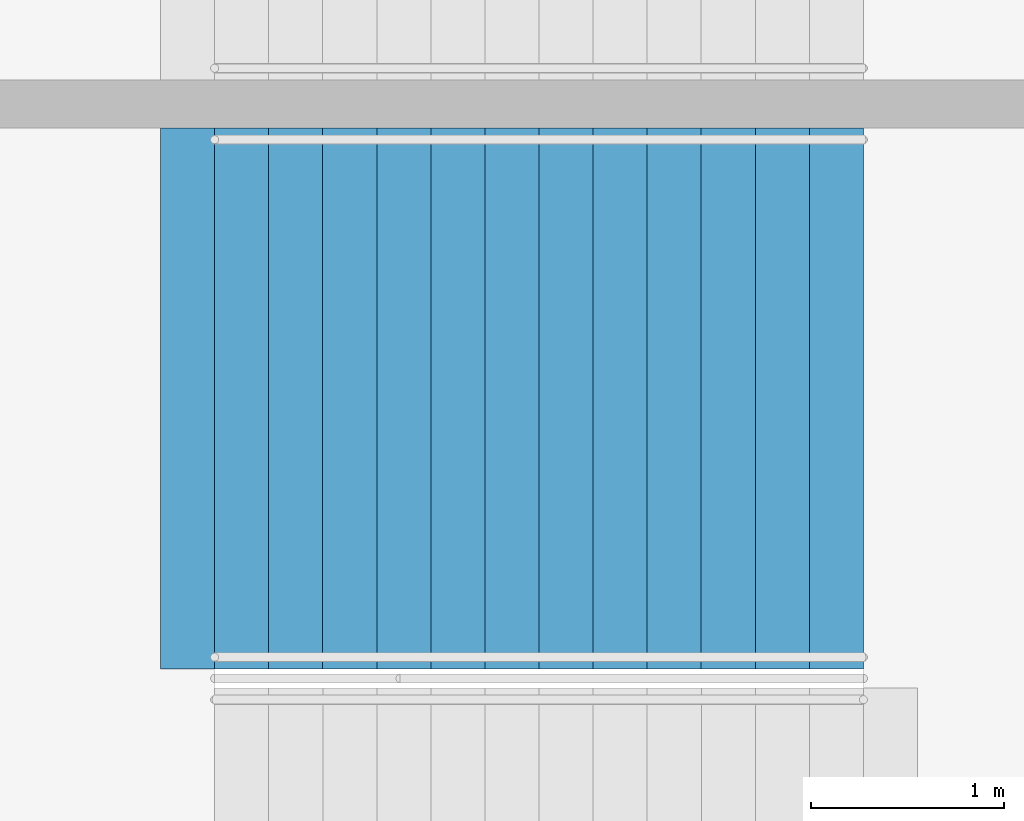
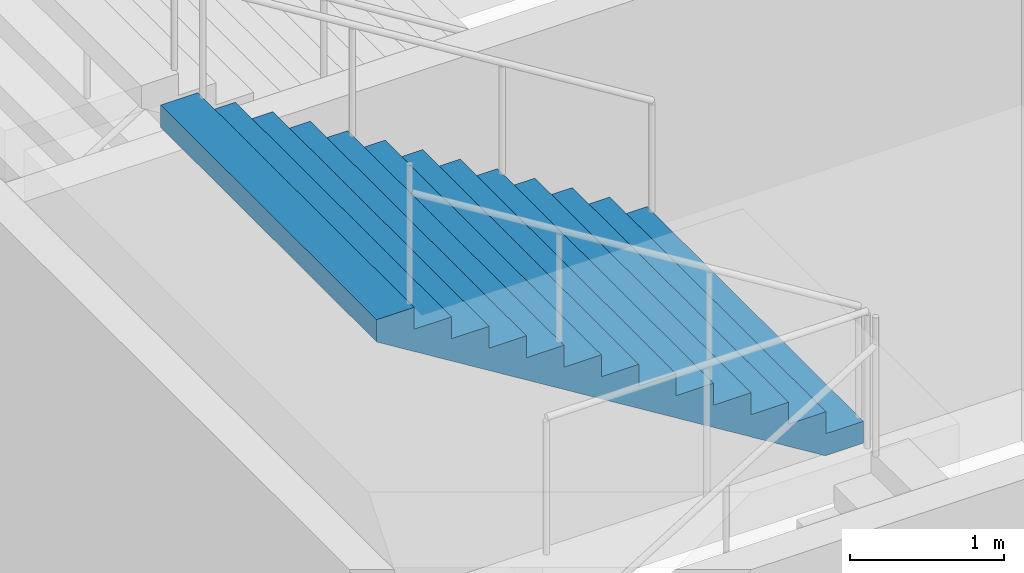
# One storey, part 150 of 199: 1 stair flight, 1 element without a shape of its own.
"""IFC4 building model written with IfcOpenShell, lengths in metres."""

from ifc_helpers import new_model, si_unit, direction, frame, origin, place, context, subcontext, project, spatial, faceted_brep, material, type_object, element, aggregate, save


model = new_model("IFC4")

# Units and contexts
model_context = context("Model", 3, precision=1e-05, world=origin(), true_north=direction((0.0, 1.0)))
body_context = subcontext(model_context, "Body", "Model", "MODEL_VIEW")
ifc_project = project(units=[si_unit("LENGTHUNIT", "METRE"), si_unit("AREAUNIT", "SQUARE_METRE"), si_unit("VOLUMEUNIT", "CUBIC_METRE"), si_unit("PLANEANGLEUNIT", "RADIAN"), si_unit("MASSUNIT", "GRAM", prefix="KILO")], contexts=[model_context])

# Site, building, storey
site_placement = place(None, origin())
site = spatial("IfcSite", under=ifc_project, at=site_placement, CompositionType="ELEMENT")
building_placement = place(site_placement, origin())
building = spatial("IfcBuilding", under=site, at=building_placement, Name="Ogive Plaza Stadium", CompositionType="ELEMENT")
storey_placement = place(building_placement, frame((0.0, 0.0, 4.5)))
storey = spatial("IfcBuildingStorey", under=building, at=storey_placement, Name="L01", CompositionType="ELEMENT", Elevation=4.5)

# Stair, stair flight
ifc_material_1 = material(Name="Concrete C40/50", Category="concrete")
stair_type = type_object("IfcStairType", Name="Exit stair", PredefinedType="STRAIGHT_RUN_STAIR", material=ifc_material_1)
stair_placement = place(storey_placement, origin())
stair = element("IfcStair", 1, at=stair_placement, inside=storey, type_object=stair_type, Name="Exit stair ST04A L01 to L02", PredefinedType="STRAIGHT_RUN_STAIR")
ifc_material_2 = material(Name="Concrete C40/50", Category="concrete")
stair_flight_type = type_object("IfcStairFlightType", Name="Exit stair flight", PredefinedType="STRAIGHT", material=ifc_material_2)
stair_flight_placement = place(storey_placement, frame((79.7099609375, 5.97509765625, 2.25), z_axis=(0.0, 0.0, 1.0), x_axis=(-1.0, 0.0, 0.0)))
stair_flight = element("IfcStairFlight", 2, at=stair_flight_placement, type_object=stair_flight_type, Name="ST04A flight 2", NumberOfRisers=13, NumberOfTreads=12, PredefinedType="STRAIGHT", RiserHeight=0.173076923, TreadLength=0.28, context=body_context, shape_type="Brep", body=[
    faceted_brep([(0.28515625, -1.39990234375, 0.0), (3.639892578125, -1.39990234375, 2.07373046875), (3.639892578125, -1.39990234375, 2.25), (3.360107421875, -1.39990234375, 2.25), (3.360107421875, -1.39990234375, 2.076904296875), (3.080078125, -1.39990234375, 2.076904296875), (3.080078125, -1.39990234375, 1.90380859375), (2.800048828125, -1.39990234375, 1.90380859375), (2.800048828125, -1.39990234375, 1.730712890625), (2.52001953125, -1.39990234375, 1.730712890625), (2.52001953125, -1.39990234375, 1.5576171875), (2.239990234375, -1.39990234375, 1.5576171875), (2.239990234375, -1.39990234375, 1.384521484375), (1.9599609375, -1.39990234375, 1.384521484375), (1.9599609375, -1.39990234375, 1.21142578125), (1.679931640625, -1.39990234375, 1.21142578125), (1.679931640625, -1.39990234375, 1.03857421875), (1.39990234375, -1.39990234375, 1.03857421875), (1.39990234375, -1.39990234375, 0.865478515625), (1.1201171875, -1.39990234375, 0.865478515625), (1.1201171875, -1.39990234375, 0.6923828125), (0.840087890625, -1.39990234375, 0.6923828125), (0.840087890625, -1.39990234375, 0.519287109375), (0.56005859375, -1.39990234375, 0.519287109375), (0.56005859375, -1.39990234375, 0.34619140625), (0.280029296875, -1.39990234375, 0.34619140625), (0.280029296875, -1.39990234375, 0.173095703125), (0.0, -1.39990234375, 0.173095703125), (0.0, -1.39990234375, 0.0), (0.0, 1.39990234375, 0.0), (0.0, 1.39990234375, 0.173095703125), (0.280029296875, 1.39990234375, 0.173095703125), (0.280029296875, 1.39990234375, 0.34619140625), (0.56005859375, 1.39990234375, 0.34619140625), (0.56005859375, 1.39990234375, 0.519287109375), (0.840087890625, 1.39990234375, 0.519287109375), (0.840087890625, 1.39990234375, 0.6923828125), (1.1201171875, 1.39990234375, 0.6923828125), (1.1201171875, 1.39990234375, 0.865478515625), (1.39990234375, 1.39990234375, 0.865478515625), (1.39990234375, 1.39990234375, 1.03857421875), (1.679931640625, 1.39990234375, 1.03857421875), (1.679931640625, 1.39990234375, 1.21142578125), (1.9599609375, 1.39990234375, 1.21142578125), (1.9599609375, 1.39990234375, 1.384521484375), (2.239990234375, 1.39990234375, 1.384521484375), (2.239990234375, 1.39990234375, 1.5576171875), (2.52001953125, 1.39990234375, 1.5576171875), (2.52001953125, 1.39990234375, 1.730712890625), (2.800048828125, 1.39990234375, 1.730712890625), (2.800048828125, 1.39990234375, 1.90380859375), (3.080078125, 1.39990234375, 1.90380859375), (3.080078125, 1.39990234375, 2.076904296875), (3.360107421875, 1.39990234375, 2.076904296875), (3.360107421875, 1.39990234375, 2.25), (3.639892578125, 1.39990234375, 2.25), (3.639892578125, 1.39990234375, 2.07373046875), (0.28515625, 1.39990234375, 0.0), (0.28515625, -1.0888671875, 0.0), (3.639892578125, -1.0888671875, 2.07373046875), (0.28515625, -0.77783203125, 0.0), (3.639892578125, -0.77783203125, 2.07373046875), (0.28515625, -0.466796875, 0.0), (3.639892578125, -0.466796875, 2.07373046875), (0.28515625, -0.155517578125, 0.0), (3.639892578125, -0.155517578125, 2.07373046875), (0.28515625, 0.155517578125, 0.0), (3.639892578125, 0.155517578125, 2.07373046875), (0.28515625, 0.466796875, 0.0), (3.639892578125, 0.466796875, 2.07373046875), (0.28515625, 0.77783203125, 0.0), (3.639892578125, 0.77783203125, 2.07373046875), (0.28515625, 1.0888671875, 0.0), (3.639892578125, 1.0888671875, 2.07373046875), (3.639892578125, -1.0888671875, 2.25), (3.639892578125, -0.77783203125, 2.25), (3.639892578125, -0.466796875, 2.25), (3.639892578125, -0.155517578125, 2.25), (3.639892578125, 0.155517578125, 2.25), (3.639892578125, 0.466796875, 2.25), (3.639892578125, 0.77783203125, 2.25), (3.639892578125, 1.0888671875, 2.25), (3.360107421875, -1.0888671875, 2.25), (3.360107421875, -0.77783203125, 2.25), (3.360107421875, -0.466796875, 2.25), (3.360107421875, -0.155517578125, 2.25), (3.360107421875, 0.155517578125, 2.25), (3.360107421875, 0.466796875, 2.25), (3.360107421875, 0.77783203125, 2.25), (3.360107421875, 1.0888671875, 2.25), (3.360107421875, -1.0888671875, 2.076904296875), (3.360107421875, -0.77783203125, 2.076904296875), (3.360107421875, -0.466796875, 2.076904296875), (3.360107421875, -0.155517578125, 2.076904296875), (3.360107421875, 0.155517578125, 2.076904296875), (3.360107421875, 0.466796875, 2.076904296875), (3.360107421875, 0.77783203125, 2.076904296875), (3.360107421875, 1.0888671875, 2.076904296875), (3.080078125, -1.0888671875, 2.076904296875), (3.080078125, -0.77783203125, 2.076904296875), (3.080078125, -0.466796875, 2.076904296875), (3.080078125, -0.155517578125, 2.076904296875), (3.080078125, 0.155517578125, 2.076904296875), (3.080078125, 0.466796875, 2.076904296875), (3.080078125, 0.77783203125, 2.076904296875), (3.080078125, 1.0888671875, 2.076904296875), (3.080078125, -1.0888671875, 1.90380859375), (3.080078125, -0.77783203125, 1.90380859375), (3.080078125, -0.466796875, 1.90380859375), (3.080078125, -0.155517578125, 1.90380859375), (3.080078125, 0.155517578125, 1.90380859375), (3.080078125, 0.466796875, 1.90380859375), (3.080078125, 0.77783203125, 1.90380859375), (3.080078125, 1.0888671875, 1.90380859375), (2.800048828125, -1.0888671875, 1.90380859375), (2.800048828125, -0.77783203125, 1.90380859375), (2.800048828125, -0.466796875, 1.90380859375), (2.800048828125, -0.155517578125, 1.90380859375), (2.800048828125, 0.155517578125, 1.90380859375), (2.800048828125, 0.466796875, 1.90380859375), (2.800048828125, 0.77783203125, 1.90380859375), (2.800048828125, 1.0888671875, 1.90380859375), (2.800048828125, -1.0888671875, 1.730712890625), (2.800048828125, -0.77783203125, 1.730712890625), (2.800048828125, -0.466796875, 1.730712890625), (2.800048828125, -0.155517578125, 1.730712890625), (2.800048828125, 0.155517578125, 1.730712890625), (2.800048828125, 0.466796875, 1.730712890625), (2.800048828125, 0.77783203125, 1.730712890625), (2.800048828125, 1.0888671875, 1.730712890625), (2.52001953125, -1.0888671875, 1.730712890625), (2.52001953125, -0.77783203125, 1.730712890625), (2.52001953125, -0.466796875, 1.730712890625), (2.52001953125, -0.155517578125, 1.730712890625), (2.52001953125, 0.155517578125, 1.730712890625), (2.52001953125, 0.466796875, 1.730712890625), (2.52001953125, 0.77783203125, 1.730712890625), (2.52001953125, 1.0888671875, 1.730712890625), (2.52001953125, -1.0888671875, 1.5576171875), (2.52001953125, -0.77783203125, 1.5576171875), (2.52001953125, -0.466796875, 1.5576171875), (2.52001953125, -0.155517578125, 1.5576171875), (2.52001953125, 0.155517578125, 1.5576171875), (2.52001953125, 0.466796875, 1.5576171875), (2.52001953125, 0.77783203125, 1.5576171875), (2.52001953125, 1.0888671875, 1.5576171875), (2.239990234375, -1.0888671875, 1.5576171875), (2.239990234375, -0.77783203125, 1.5576171875), (2.239990234375, -0.466796875, 1.5576171875), (2.239990234375, -0.155517578125, 1.5576171875), (2.239990234375, 0.155517578125, 1.5576171875), (2.239990234375, 0.466796875, 1.5576171875), (2.239990234375, 0.77783203125, 1.5576171875), (2.239990234375, 1.0888671875, 1.5576171875), (2.239990234375, -1.0888671875, 1.384521484375), (2.239990234375, -0.77783203125, 1.384521484375), (2.239990234375, -0.466796875, 1.384521484375), (2.239990234375, -0.155517578125, 1.384521484375), (2.239990234375, 0.155517578125, 1.384521484375), (2.239990234375, 0.466796875, 1.384521484375), (2.239990234375, 0.77783203125, 1.384521484375), (2.239990234375, 1.0888671875, 1.384521484375), (1.9599609375, -1.0888671875, 1.384521484375), (1.9599609375, -0.77783203125, 1.384521484375), (1.9599609375, -0.466796875, 1.384521484375), (1.9599609375, -0.155517578125, 1.384521484375), (1.9599609375, 0.155517578125, 1.384521484375), (1.9599609375, 0.466796875, 1.384521484375), (1.9599609375, 0.77783203125, 1.384521484375), (1.9599609375, 1.0888671875, 1.384521484375), (1.9599609375, -1.0888671875, 1.21142578125), (1.9599609375, -0.77783203125, 1.21142578125), (1.9599609375, -0.466796875, 1.21142578125), (1.9599609375, -0.155517578125, 1.21142578125), (1.9599609375, 0.155517578125, 1.21142578125), (1.9599609375, 0.466796875, 1.21142578125), (1.9599609375, 0.77783203125, 1.21142578125), (1.9599609375, 1.0888671875, 1.21142578125), (1.679931640625, -1.0888671875, 1.21142578125), (1.679931640625, -0.77783203125, 1.21142578125), (1.679931640625, -0.466796875, 1.21142578125), (1.679931640625, -0.155517578125, 1.21142578125), (1.679931640625, 0.155517578125, 1.21142578125), (1.679931640625, 0.466796875, 1.21142578125), (1.679931640625, 0.77783203125, 1.21142578125), (1.679931640625, 1.0888671875, 1.21142578125), (1.679931640625, -1.0888671875, 1.03857421875), (1.679931640625, -0.77783203125, 1.03857421875), (1.679931640625, -0.466796875, 1.03857421875), (1.679931640625, -0.155517578125, 1.03857421875), (1.679931640625, 0.155517578125, 1.03857421875), (1.679931640625, 0.466796875, 1.03857421875), (1.679931640625, 0.77783203125, 1.03857421875), (1.679931640625, 1.0888671875, 1.03857421875), (1.39990234375, -1.0888671875, 1.03857421875), (1.39990234375, -0.77783203125, 1.03857421875), (1.39990234375, -0.466796875, 1.03857421875), (1.39990234375, -0.155517578125, 1.03857421875), (1.39990234375, 0.155517578125, 1.03857421875), (1.39990234375, 0.466796875, 1.03857421875), (1.39990234375, 0.77783203125, 1.03857421875), (1.39990234375, 1.0888671875, 1.03857421875), (1.39990234375, -1.0888671875, 0.865478515625), (1.39990234375, -0.77783203125, 0.865478515625), (1.39990234375, -0.466796875, 0.865478515625), (1.39990234375, -0.155517578125, 0.865478515625), (1.39990234375, 0.155517578125, 0.865478515625), (1.39990234375, 0.466796875, 0.865478515625), (1.39990234375, 0.77783203125, 0.865478515625), (1.39990234375, 1.0888671875, 0.865478515625), (1.1201171875, -1.0888671875, 0.865478515625), (1.1201171875, -0.77783203125, 0.865478515625), (1.1201171875, -0.466796875, 0.865478515625), (1.1201171875, -0.155517578125, 0.865478515625), (1.1201171875, 0.155517578125, 0.865478515625), (1.1201171875, 0.466796875, 0.865478515625), (1.1201171875, 0.77783203125, 0.865478515625), (1.1201171875, 1.0888671875, 0.865478515625), (1.1201171875, -1.0888671875, 0.6923828125), (1.1201171875, -0.77783203125, 0.6923828125), (1.1201171875, -0.466796875, 0.6923828125), (1.1201171875, -0.155517578125, 0.6923828125), (1.1201171875, 0.155517578125, 0.6923828125), (1.1201171875, 0.466796875, 0.6923828125), (1.1201171875, 0.77783203125, 0.6923828125), (1.1201171875, 1.0888671875, 0.6923828125), (0.840087890625, -1.0888671875, 0.6923828125), (0.840087890625, -0.77783203125, 0.6923828125), (0.840087890625, -0.466796875, 0.6923828125), (0.840087890625, -0.155517578125, 0.6923828125), (0.840087890625, 0.155517578125, 0.6923828125), (0.840087890625, 0.466796875, 0.6923828125), (0.840087890625, 0.77783203125, 0.6923828125), (0.840087890625, 1.0888671875, 0.6923828125), (0.840087890625, -1.0888671875, 0.519287109375), (0.840087890625, -0.77783203125, 0.519287109375), (0.840087890625, -0.466796875, 0.519287109375), (0.840087890625, -0.155517578125, 0.519287109375), (0.840087890625, 0.155517578125, 0.519287109375), (0.840087890625, 0.466796875, 0.519287109375), (0.840087890625, 0.77783203125, 0.519287109375), (0.840087890625, 1.0888671875, 0.519287109375), (0.56005859375, -1.0888671875, 0.519287109375), (0.56005859375, -0.77783203125, 0.519287109375), (0.56005859375, -0.466796875, 0.519287109375), (0.56005859375, -0.155517578125, 0.519287109375), (0.56005859375, 0.155517578125, 0.519287109375), (0.56005859375, 0.466796875, 0.519287109375), (0.56005859375, 0.77783203125, 0.519287109375), (0.56005859375, 1.0888671875, 0.519287109375), (0.56005859375, -1.0888671875, 0.34619140625), (0.56005859375, -0.77783203125, 0.34619140625), (0.56005859375, -0.466796875, 0.34619140625), (0.56005859375, -0.155517578125, 0.34619140625), (0.56005859375, 0.155517578125, 0.34619140625), (0.56005859375, 0.466796875, 0.34619140625), (0.56005859375, 0.77783203125, 0.34619140625), (0.56005859375, 1.0888671875, 0.34619140625), (0.280029296875, -1.0888671875, 0.34619140625), (0.280029296875, -0.77783203125, 0.34619140625), (0.280029296875, -0.466796875, 0.34619140625), (0.280029296875, -0.155517578125, 0.34619140625), (0.280029296875, 0.155517578125, 0.34619140625), (0.280029296875, 0.466796875, 0.34619140625), (0.280029296875, 0.77783203125, 0.34619140625), (0.280029296875, 1.0888671875, 0.34619140625), (0.280029296875, -1.0888671875, 0.173095703125), (0.280029296875, -0.77783203125, 0.173095703125), (0.280029296875, -0.466796875, 0.173095703125), (0.280029296875, -0.155517578125, 0.173095703125), (0.280029296875, 0.155517578125, 0.173095703125), (0.280029296875, 0.466796875, 0.173095703125), (0.280029296875, 0.77783203125, 0.173095703125), (0.280029296875, 1.0888671875, 0.173095703125), (0.0, -1.0888671875, 0.173095703125), (0.0, -0.77783203125, 0.173095703125), (0.0, -0.466796875, 0.173095703125), (0.0, -0.155517578125, 0.173095703125), (0.0, 0.155517578125, 0.173095703125), (0.0, 0.466796875, 0.173095703125), (0.0, 0.77783203125, 0.173095703125), (0.0, 1.0888671875, 0.173095703125), (0.0, -1.0888671875, 0.0), (0.0, -0.77783203125, 0.0), (0.0, -0.466796875, 0.0), (0.0, -0.155517578125, 0.0), (0.0, 0.155517578125, 0.0), (0.0, 0.466796875, 0.0), (0.0, 0.77783203125, 0.0), (0.0, 1.0888671875, 0.0)], [[[0, 1, 2, 3, 4, 5, 6, 7, 8, 9, 10, 11, 12, 13, 14, 15, 16, 17, 18, 19, 20, 21, 22, 23, 24, 25, 26, 27, 28]], [[29, 30, 31, 32, 33, 34, 35, 36, 37, 38, 39, 40, 41, 42, 43, 44, 45, 46, 47, 48, 49, 50, 51, 52, 53, 54, 55, 56, 57]], [[0, 58, 59, 1]], [[58, 60, 61, 59]], [[60, 62, 63, 61]], [[62, 64, 65, 63]], [[64, 66, 67, 65]], [[66, 68, 69, 67]], [[68, 70, 71, 69]], [[70, 72, 73, 71]], [[72, 57, 56, 73]], [[1, 59, 74, 2]], [[59, 61, 75, 74]], [[61, 63, 76, 75]], [[63, 65, 77, 76]], [[65, 67, 78, 77]], [[67, 69, 79, 78]], [[69, 71, 80, 79]], [[71, 73, 81, 80]], [[73, 56, 55, 81]], [[2, 74, 82, 3]], [[74, 75, 83, 82]], [[75, 76, 84, 83]], [[76, 77, 85, 84]], [[77, 78, 86, 85]], [[78, 79, 87, 86]], [[79, 80, 88, 87]], [[80, 81, 89, 88]], [[81, 55, 54, 89]], [[3, 82, 90, 4]], [[82, 83, 91, 90]], [[83, 84, 92, 91]], [[84, 85, 93, 92]], [[85, 86, 94, 93]], [[86, 87, 95, 94]], [[87, 88, 96, 95]], [[88, 89, 97, 96]], [[89, 54, 53, 97]], [[4, 90, 98, 5]], [[90, 91, 99, 98]], [[91, 92, 100, 99]], [[92, 93, 101, 100]], [[93, 94, 102, 101]], [[94, 95, 103, 102]], [[95, 96, 104, 103]], [[96, 97, 105, 104]], [[97, 53, 52, 105]], [[5, 98, 106, 6]], [[98, 99, 107, 106]], [[99, 100, 108, 107]], [[100, 101, 109, 108]], [[101, 102, 110, 109]], [[102, 103, 111, 110]], [[103, 104, 112, 111]], [[104, 105, 113, 112]], [[105, 52, 51, 113]], [[6, 106, 114, 7]], [[106, 107, 115, 114]], [[107, 108, 116, 115]], [[108, 109, 117, 116]], [[109, 110, 118, 117]], [[110, 111, 119, 118]], [[111, 112, 120, 119]], [[112, 113, 121, 120]], [[113, 51, 50, 121]], [[7, 114, 122, 8]], [[114, 115, 123, 122]], [[115, 116, 124, 123]], [[116, 117, 125, 124]], [[117, 118, 126, 125]], [[118, 119, 127, 126]], [[119, 120, 128, 127]], [[120, 121, 129, 128]], [[121, 50, 49, 129]], [[8, 122, 130, 9]], [[122, 123, 131, 130]], [[123, 124, 132, 131]], [[124, 125, 133, 132]], [[125, 126, 134, 133]], [[126, 127, 135, 134]], [[127, 128, 136, 135]], [[128, 129, 137, 136]], [[129, 49, 48, 137]], [[9, 130, 138, 10]], [[130, 131, 139, 138]], [[131, 132, 140, 139]], [[132, 133, 141, 140]], [[133, 134, 142, 141]], [[134, 135, 143, 142]], [[135, 136, 144, 143]], [[136, 137, 145, 144]], [[137, 48, 47, 145]], [[10, 138, 146, 11]], [[138, 139, 147, 146]], [[139, 140, 148, 147]], [[140, 141, 149, 148]], [[141, 142, 150, 149]], [[142, 143, 151, 150]], [[143, 144, 152, 151]], [[144, 145, 153, 152]], [[145, 47, 46, 153]], [[11, 146, 154, 12]], [[146, 147, 155, 154]], [[147, 148, 156, 155]], [[148, 149, 157, 156]], [[149, 150, 158, 157]], [[150, 151, 159, 158]], [[151, 152, 160, 159]], [[152, 153, 161, 160]], [[153, 46, 45, 161]], [[12, 154, 162, 13]], [[154, 155, 163, 162]], [[155, 156, 164, 163]], [[156, 157, 165, 164]], [[157, 158, 166, 165]], [[158, 159, 167, 166]], [[159, 160, 168, 167]], [[160, 161, 169, 168]], [[161, 45, 44, 169]], [[13, 162, 170, 14]], [[162, 163, 171, 170]], [[163, 164, 172, 171]], [[164, 165, 173, 172]], [[165, 166, 174, 173]], [[166, 167, 175, 174]], [[167, 168, 176, 175]], [[168, 169, 177, 176]], [[169, 44, 43, 177]], [[14, 170, 178, 15]], [[170, 171, 179, 178]], [[171, 172, 180, 179]], [[172, 173, 181, 180]], [[173, 174, 182, 181]], [[174, 175, 183, 182]], [[175, 176, 184, 183]], [[176, 177, 185, 184]], [[177, 43, 42, 185]], [[15, 178, 186, 16]], [[178, 179, 187, 186]], [[179, 180, 188, 187]], [[180, 181, 189, 188]], [[181, 182, 190, 189]], [[182, 183, 191, 190]], [[183, 184, 192, 191]], [[184, 185, 193, 192]], [[185, 42, 41, 193]], [[16, 186, 194, 17]], [[186, 187, 195, 194]], [[187, 188, 196, 195]], [[188, 189, 197, 196]], [[189, 190, 198, 197]], [[190, 191, 199, 198]], [[191, 192, 200, 199]], [[192, 193, 201, 200]], [[193, 41, 40, 201]], [[17, 194, 202, 18]], [[194, 195, 203, 202]], [[195, 196, 204, 203]], [[196, 197, 205, 204]], [[197, 198, 206, 205]], [[198, 199, 207, 206]], [[199, 200, 208, 207]], [[200, 201, 209, 208]], [[201, 40, 39, 209]], [[18, 202, 210, 19]], [[202, 203, 211, 210]], [[203, 204, 212, 211]], [[204, 205, 213, 212]], [[205, 206, 214, 213]], [[206, 207, 215, 214]], [[207, 208, 216, 215]], [[208, 209, 217, 216]], [[209, 39, 38, 217]], [[19, 210, 218, 20]], [[210, 211, 219, 218]], [[211, 212, 220, 219]], [[212, 213, 221, 220]], [[213, 214, 222, 221]], [[214, 215, 223, 222]], [[215, 216, 224, 223]], [[216, 217, 225, 224]], [[217, 38, 37, 225]], [[20, 218, 226, 21]], [[218, 219, 227, 226]], [[219, 220, 228, 227]], [[220, 221, 229, 228]], [[221, 222, 230, 229]], [[222, 223, 231, 230]], [[223, 224, 232, 231]], [[224, 225, 233, 232]], [[225, 37, 36, 233]], [[21, 226, 234, 22]], [[226, 227, 235, 234]], [[227, 228, 236, 235]], [[228, 229, 237, 236]], [[229, 230, 238, 237]], [[230, 231, 239, 238]], [[231, 232, 240, 239]], [[232, 233, 241, 240]], [[233, 36, 35, 241]], [[22, 234, 242, 23]], [[234, 235, 243, 242]], [[235, 236, 244, 243]], [[236, 237, 245, 244]], [[237, 238, 246, 245]], [[238, 239, 247, 246]], [[239, 240, 248, 247]], [[240, 241, 249, 248]], [[241, 35, 34, 249]], [[23, 242, 250, 24]], [[242, 243, 251, 250]], [[243, 244, 252, 251]], [[244, 245, 253, 252]], [[245, 246, 254, 253]], [[246, 247, 255, 254]], [[247, 248, 256, 255]], [[248, 249, 257, 256]], [[249, 34, 33, 257]], [[24, 250, 258, 25]], [[250, 251, 259, 258]], [[251, 252, 260, 259]], [[252, 253, 261, 260]], [[253, 254, 262, 261]], [[254, 255, 263, 262]], [[255, 256, 264, 263]], [[256, 257, 265, 264]], [[257, 33, 32, 265]], [[25, 258, 266, 26]], [[258, 259, 267, 266]], [[259, 260, 268, 267]], [[260, 261, 269, 268]], [[261, 262, 270, 269]], [[262, 263, 271, 270]], [[263, 264, 272, 271]], [[264, 265, 273, 272]], [[265, 32, 31, 273]], [[26, 266, 274, 27]], [[266, 267, 275, 274]], [[267, 268, 276, 275]], [[268, 269, 277, 276]], [[269, 270, 278, 277]], [[270, 271, 279, 278]], [[271, 272, 280, 279]], [[272, 273, 281, 280]], [[273, 31, 30, 281]], [[27, 274, 282, 28]], [[274, 275, 283, 282]], [[275, 276, 284, 283]], [[276, 277, 285, 284]], [[277, 278, 286, 285]], [[278, 279, 287, 286]], [[279, 280, 288, 287]], [[280, 281, 289, 288]], [[281, 30, 29, 289]], [[28, 282, 58, 0]], [[282, 283, 60, 58]], [[283, 284, 62, 60]], [[284, 285, 64, 62]], [[285, 286, 66, 64]], [[286, 287, 68, 66]], [[287, 288, 70, 68]], [[288, 289, 72, 70]], [[289, 29, 57, 72]]]),
])
aggregate(stair, [stair_flight])

save(model, "model.ifc")
